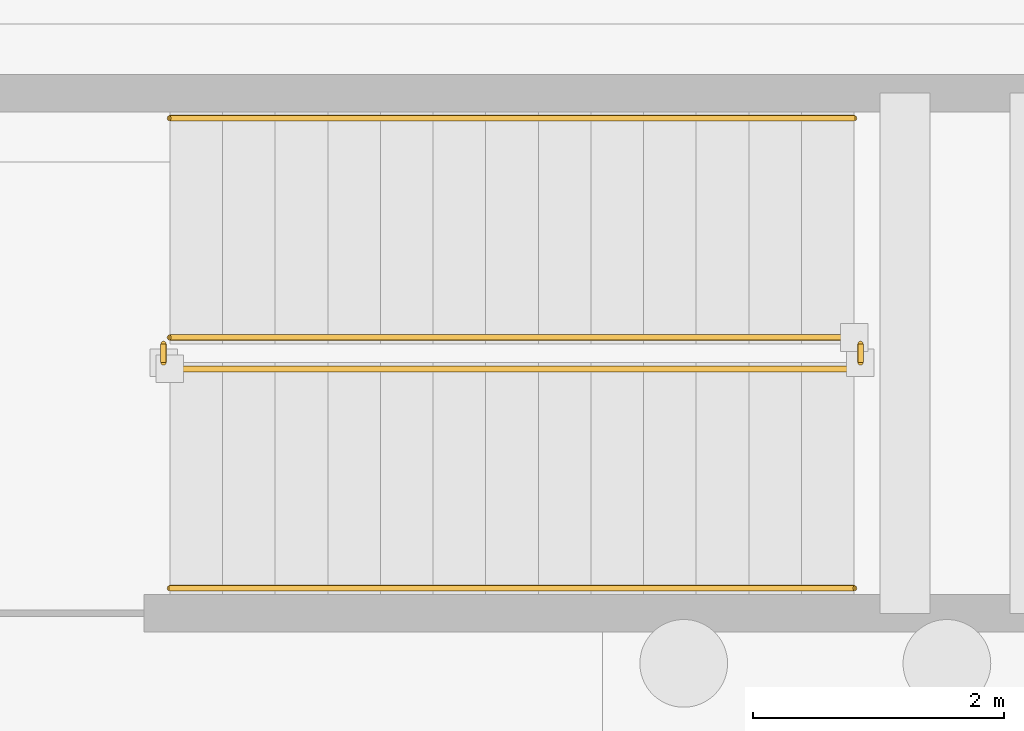
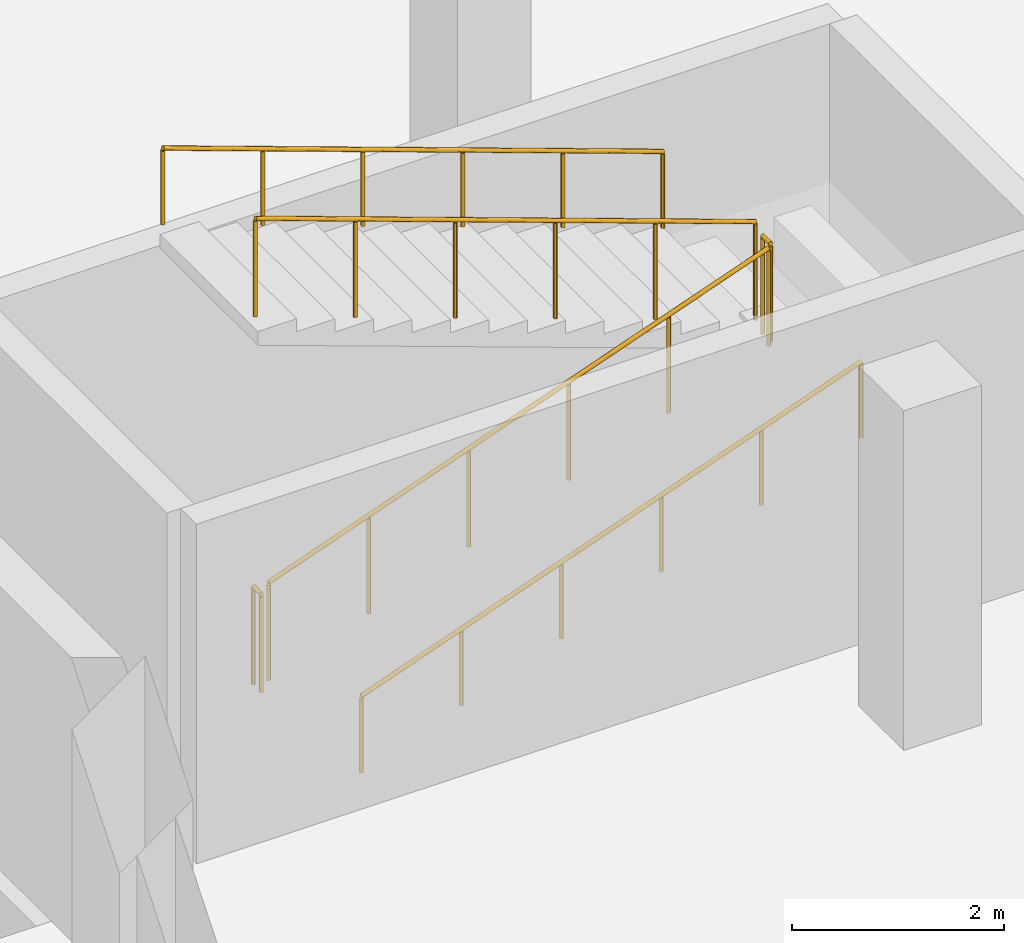
# One storey, part 25 of 28: 6 railings.
"""IFC4 building model written with IfcOpenShell, lengths in metres."""

from ifc_helpers import new_model, si_unit, direction, frame, origin, origin_2d, place, context, subcontext, project, spatial, circle, extrude, material, layer, layer_set, type_object, element, save


model = new_model("IFC4")

# Units and contexts
model_context = context("Model", 3, precision=1e-05, world=origin(), true_north=direction((0.0, 1.0)))
body_context = subcontext(model_context, "Body", "Model", "MODEL_VIEW")
ifc_project = project(units=[si_unit("LENGTHUNIT", "METRE"), si_unit("AREAUNIT", "SQUARE_METRE"), si_unit("VOLUMEUNIT", "CUBIC_METRE"), si_unit("PLANEANGLEUNIT", "RADIAN"), si_unit("MASSUNIT", "GRAM", prefix="KILO")], contexts=[model_context])

# Site, building, storey
site_placement = place(None, origin())
site = spatial("IfcSite", under=ifc_project, at=site_placement, CompositionType="ELEMENT")
building_placement = place(site_placement, origin())
building = spatial("IfcBuilding", under=site, at=building_placement, Name="Varnakota Cinema and Media Centre", CompositionType="ELEMENT")
storey_placement = place(building_placement, frame((0.0, 0.0, -4.199951171875)))
storey = spatial("IfcBuildingStorey", under=building, at=storey_placement, Name="B1", CompositionType="ELEMENT", Elevation=-4.199951171875)

# Railings
ifc_material_1 = material(Name="Structural steel Grade 350 (E350)", Category="steel")
ifc_layer_1 = layer(ifc_material_1, 0.050048828125)
ifc_layer_set_1 = layer_set([ifc_layer_1], Name="Structural steel Grade 350 (E350)")
railing_type_1 = type_object("IfcRailingType", Name="RAIL-STAIR-GUARD-1150", PredefinedType="GUARDRAIL", material=ifc_layer_set_1)
railing_1_placement = place(storey_placement, frame((3.449951171875, 64.39990234375, 0.14990234375)))
element("IfcRailing", 1, at=railing_1_placement, inside=storey, type_object=railing_type_1, Name="B1 ST-B3 stair guard 1", PredefinedType="GUARDRAIL", context=body_context, shape_type="SweptSolid", body=[
    extrude(circle(Radius=0.02392578125, at=origin_2d()), frame((0.0, 0.0, 1.1259765625), z_axis=(0.941743817001, 0.0, 0.336331061813), x_axis=(0.0, 1.0, 0.0)), (0.0, 0.0, 1.0), 5.797607421875),
    extrude(circle(Radius=0.02099609375, at=origin_2d()), origin(), (0.0, 0.0, 1.0), 1.101806640625),
    extrude(circle(Radius=0.02099609375, at=origin_2d()), frame((1.092041015625, 0.0, 0.389892578125)), (0.0, 0.0, 1.0), 1.101806640625),
    extrude(circle(Radius=0.02099609375, at=origin_2d()), frame((2.18408203125, 0.0, 0.780029296875)), (0.0, 0.0, 1.0), 1.101806640625),
    extrude(circle(Radius=0.02099609375, at=origin_2d()), frame((3.27587890625, 0.0, 1.169921875)), (0.0, 0.0, 1.0), 1.101806640625),
    extrude(circle(Radius=0.02099609375, at=origin_2d()), frame((4.367919921875, 0.0, 1.56005859375)), (0.0, 0.0, 1.0), 1.101806640625),
    extrude(circle(Radius=0.02099609375, at=origin_2d()), frame((5.4599609375, 0.0, 1.949951171875)), (0.0, 0.0, 1.0), 1.101806640625),
])
railing_2_placement = place(storey_placement, frame((8.9599609375, 64.449951171875, 2.099853515625)))
element("IfcRailing", 2, at=railing_2_placement, inside=storey, type_object=railing_type_1, Name="B1 ST-B3 stair guard 2", PredefinedType="GUARDRAIL", context=body_context, shape_type="SweptSolid", body=[
    extrude(circle(Radius=0.02392578125, at=origin_2d()), frame((0.0, 0.0, 1.1259765625), z_axis=(0.0, 1.0, 0.0), x_axis=(-1.0, 0.0, 0.0)), (0.0, 0.0, 1.0), 0.150146484375),
    extrude(circle(Radius=0.02099609375, at=origin_2d()), origin(), (0.0, 0.0, 1.0), 1.101806640625),
    extrude(circle(Radius=0.02099609375, at=origin_2d()), frame((0.0, 0.150146484375, 0.0)), (0.0, 0.0, 1.0), 1.101806640625),
])
railing_3_placement = place(storey_placement, frame((8.909912109375, 64.64990234375, 2.25)))
element("IfcRailing", 3, at=railing_3_placement, inside=storey, type_object=railing_type_1, Name="B1 ST-B3 stair guard 3", PredefinedType="GUARDRAIL", context=body_context, shape_type="SweptSolid", body=[
    extrude(circle(Radius=0.02392578125, at=origin_2d()), frame((0.0, 0.0, 1.1259765625), z_axis=(-0.941743817001, 0.0, 0.336331061813), x_axis=(0.0, -1.0, 0.0)), (0.0, 0.0, 1.0), 5.797607421875),
    extrude(circle(Radius=0.02099609375, at=origin_2d()), origin(), (0.0, 0.0, 1.0), 1.101806640625),
    extrude(circle(Radius=0.02099609375, at=origin_2d()), frame((-1.092041015625, 0.0, 0.389892578125)), (0.0, 0.0, 1.0), 1.101806640625),
    extrude(circle(Radius=0.02099609375, at=origin_2d()), frame((-2.18408203125, 0.0, 0.780029296875)), (0.0, 0.0, 1.0), 1.101806640625),
    extrude(circle(Radius=0.02099609375, at=origin_2d()), frame((-3.27587890625, 0.0, 1.169921875)), (0.0, 0.0, 1.0), 1.101806640625),
    extrude(circle(Radius=0.02099609375, at=origin_2d()), frame((-4.367919921875, 0.0, 1.56005859375)), (0.0, 0.0, 1.0), 1.101806640625),
    extrude(circle(Radius=0.02099609375, at=origin_2d()), frame((-5.4599609375, 0.0, 1.949951171875)), (0.0, 0.0, 1.0), 1.101806640625),
])
railing_4_placement = place(storey_placement, frame((3.39990234375, 64.449951171875, 0.0)))
element("IfcRailing", 4, at=railing_4_placement, inside=storey, type_object=railing_type_1, Name="B1 ST-B3 stair guard 4", PredefinedType="GUARDRAIL", context=body_context, shape_type="SweptSolid", body=[
    extrude(circle(Radius=0.02392578125, at=origin_2d()), frame((0.0, 0.0, 1.1259765625), z_axis=(0.0, 1.0, 0.0), x_axis=(-1.0, 0.0, 0.0)), (0.0, 0.0, 1.0), 0.150146484375),
    extrude(circle(Radius=0.02099609375, at=origin_2d()), origin(), (0.0, 0.0, 1.0), 1.101806640625),
    extrude(circle(Radius=0.02099609375, at=origin_2d()), frame((0.0, 0.150146484375, 0.0)), (0.0, 0.0, 1.0), 1.101806640625),
])
ifc_material_2 = material(Name="Structural steel Grade 350 (E350)", Category="steel")
ifc_layer_2 = layer(ifc_material_2, 0.048095703125)
ifc_layer_set_2 = layer_set([ifc_layer_2], Name="Structural steel Grade 350 (E350)")
railing_type_2 = type_object("IfcRailingType", Name="RAIL-STAIR-HAND-900", PredefinedType="HANDRAIL", material=ifc_layer_set_2)
railing_5_placement = place(storey_placement, frame((3.449951171875, 62.64990234375, 0.14990234375)))
element("IfcRailing", 5, at=railing_5_placement, inside=storey, type_object=railing_type_2, Name="B1 ST-B3 stair handrail 1", PredefinedType="HANDRAIL", context=body_context, shape_type="SweptSolid", body=[
    extrude(circle(Radius=0.02392578125, at=origin_2d()), frame((0.0, 0.0, 0.8759765625), z_axis=(0.941743817001, 0.0, 0.336331061813), x_axis=(0.0, 1.0, 0.0)), (0.0, 0.0, 1.0), 5.797607421875),
    extrude(circle(Radius=0.02099609375, at=origin_2d()), origin(), (0.0, 0.0, 1.0), 0.851806640625),
    extrude(circle(Radius=0.02099609375, at=origin_2d()), frame((1.092041015625, 0.0, 0.389892578125)), (0.0, 0.0, 1.0), 0.851806640625),
    extrude(circle(Radius=0.02099609375, at=origin_2d()), frame((2.18408203125, 0.0, 0.780029296875)), (0.0, 0.0, 1.0), 0.851806640625),
    extrude(circle(Radius=0.02099609375, at=origin_2d()), frame((3.27587890625, 0.0, 1.169921875)), (0.0, 0.0, 1.0), 0.851806640625),
    extrude(circle(Radius=0.02099609375, at=origin_2d()), frame((4.367919921875, 0.0, 1.56005859375)), (0.0, 0.0, 1.0), 0.851806640625),
    extrude(circle(Radius=0.02099609375, at=origin_2d()), frame((5.4599609375, 0.0, 1.949951171875)), (0.0, 0.0, 1.0), 0.851806640625),
])
railing_6_placement = place(storey_placement, frame((8.909912109375, 66.39990234375, 2.25)))
element("IfcRailing", 6, at=railing_6_placement, inside=storey, type_object=railing_type_2, Name="B1 ST-B3 stair handrail 2", PredefinedType="HANDRAIL", context=body_context, shape_type="SweptSolid", body=[
    extrude(circle(Radius=0.02392578125, at=origin_2d()), frame((0.0, 0.0, 0.8759765625), z_axis=(-0.941743817001, 0.0, 0.336331061813), x_axis=(0.0, -1.0, 0.0)), (0.0, 0.0, 1.0), 5.797607421875),
    extrude(circle(Radius=0.02099609375, at=origin_2d()), origin(), (0.0, 0.0, 1.0), 0.851806640625),
    extrude(circle(Radius=0.02099609375, at=origin_2d()), frame((-1.092041015625, 0.0, 0.389892578125)), (0.0, 0.0, 1.0), 0.851806640625),
    extrude(circle(Radius=0.02099609375, at=origin_2d()), frame((-2.18408203125, 0.0, 0.780029296875)), (0.0, 0.0, 1.0), 0.851806640625),
    extrude(circle(Radius=0.02099609375, at=origin_2d()), frame((-3.27587890625, 0.0, 1.169921875)), (0.0, 0.0, 1.0), 0.851806640625),
    extrude(circle(Radius=0.02099609375, at=origin_2d()), frame((-4.367919921875, 0.0, 1.56005859375)), (0.0, 0.0, 1.0), 0.851806640625),
    extrude(circle(Radius=0.02099609375, at=origin_2d()), frame((-5.4599609375, 0.0, 1.949951171875)), (0.0, 0.0, 1.0), 0.851806640625),
])

save(model, "model.ifc")
